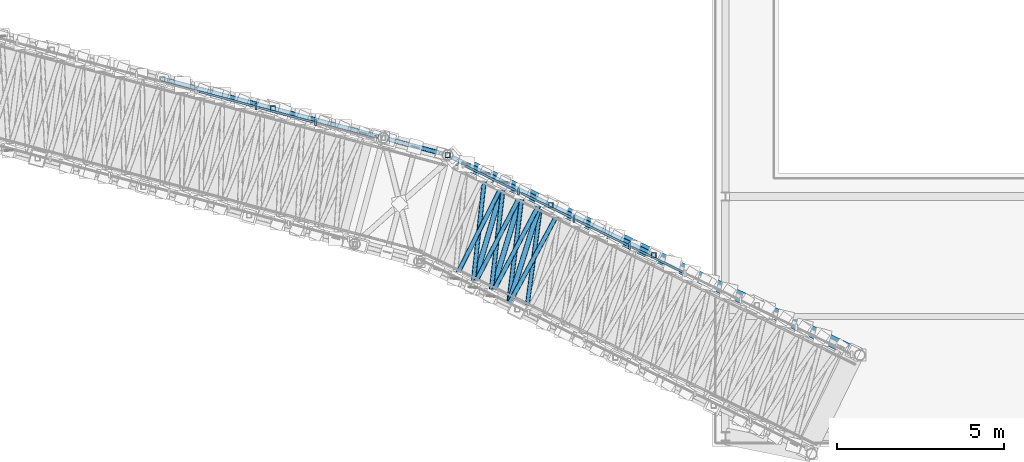
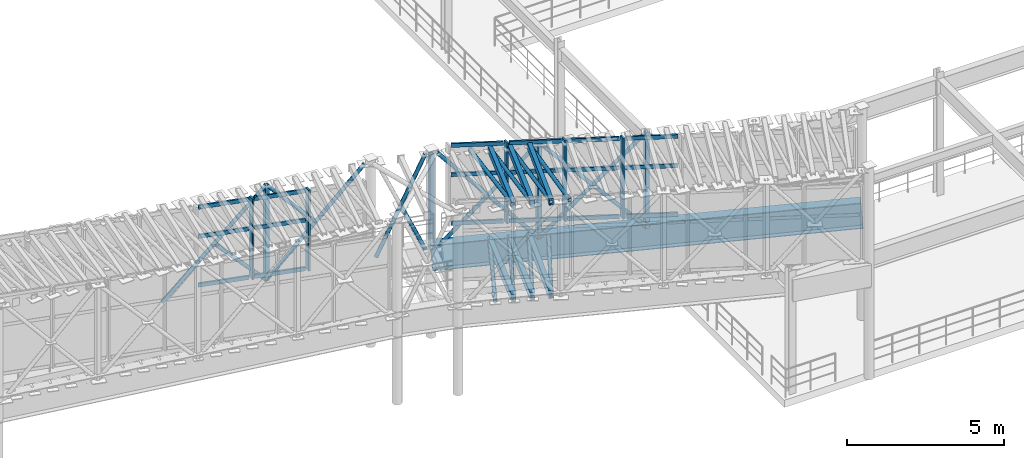
# One storey, part 65 of 144: 50 members, 4 beams, 2 elements without a shape of their own.
"""IFC4 building model written with IfcOpenShell, lengths in metres."""

from ifc_helpers import new_model, si_unit, direction, frame, origin, origin_2d, place, context, subcontext, project, spatial, rectangle, hollow_rectangle, hollow_circle, i_section, extrude, material, material_profile, profile_set, type_object, element, aggregate, save


model = new_model("IFC4")

# Units and contexts
model_context = context("Model", 3, precision=1e-05, world=origin(), true_north=direction((0.0, 1.0)))
body_context = subcontext(model_context, "Body", "Model", "MODEL_VIEW")
ifc_project = project(units=[si_unit("LENGTHUNIT", "METRE"), si_unit("AREAUNIT", "SQUARE_METRE"), si_unit("VOLUMEUNIT", "CUBIC_METRE"), si_unit("PLANEANGLEUNIT", "RADIAN"), si_unit("MASSUNIT", "GRAM", prefix="KILO")], contexts=[model_context])

# Site, building, storey
site_placement = place(None, origin())
site = spatial("IfcSite", under=ifc_project, at=site_placement, CompositionType="ELEMENT")
building_placement = place(site_placement, origin())
building = spatial("IfcBuilding", under=site, at=building_placement, Name="Cinderbank Siding Concert Hall", CompositionType="ELEMENT")
storey_placement = place(building_placement, frame((0.0, 0.0, 5.39990234375)))
storey = spatial("IfcBuildingStorey", under=building, at=storey_placement, Name="L02", CompositionType="ELEMENT", Elevation=5.39990234375)

# Beam
ifc_material_1 = material(Name="Structural steel welded plate section AS/NZS 3679.2 / AS/NZS 3678 Grade 350 (340 MPa)", Category="steel")
ifc_material_profile_1 = material_profile(ifc_material_1, i_section(OverallWidth=0.35009765625, OverallDepth=1.0, WebThickness=0.013916015625, FlangeThickness=0.02490234375, at=origin_2d()), Name="1000WB258", Category="LoadBearing")
ifc_profile_set_1 = profile_set([ifc_material_profile_1], Name="Structural steel welded plate section AS/NZS 3679.2 / AS/NZS 3678 Grade 350 (340 MPa)")
beam_type_1 = type_object("IfcBeamType", Name="BM-WB1000 1000WB258", PredefinedType="BEAM", material=ifc_profile_set_1)
beam_1_placement = place(storey_placement, frame((110.06005859375, 97.0439453125, 3.1201171875), z_axis=(0.897560803151, -0.435359130196, 0.069620632013), x_axis=(0.436418081237, 0.899743996017, 0.0)))
element("IfcBeam", 1, at=beam_1_placement, inside=storey, type_object=beam_type_1, Name="L02 Beam BM-WB1000 #2013", PredefinedType="BEAM", context=body_context, shape_type="SweptSolid", body=[
    extrude(i_section(OverallWidth=0.35009765625, OverallDepth=1.0, WebThickness=0.013916015625, FlangeThickness=0.02490234375, at=origin_2d()), origin(), (0.0, 0.0, 1.0), 13.78857421875),
])

# Members
ifc_material_2 = material(Name="Structural steel hollow section AS/NZS 1163 Grade C350L0 (350 MPa)", Category="steel")
ifc_material_profile_2 = material_profile(ifc_material_2, hollow_circle(Radius=0.06982421875, WallThickness=0.00634765625, at=origin_2d()), Name="139.7x6.4CHS", Category="LoadBearing")
ifc_profile_set_2 = profile_set([ifc_material_profile_2], Name="Structural steel hollow section AS/NZS 1163 Grade C350L0 (350 MPa)")
member_type_1 = type_object("IfcMemberType", Name="BR-CHS139 139.7x6.4CHS Roof Truss", PredefinedType="BRACE", material=ifc_profile_set_2)
member_1_placement = place(storey_placement, frame((101.49560546875, 99.325439453125, 2.91015625), z_axis=(0.634701122868, -0.168826853929, 0.754090165711), x_axis=(0.257055927083, 0.966396528528, 0.0)))
element("IfcMember", 2, at=member_1_placement, inside=storey, type_object=member_type_1, Name="L02 Diagonal Brace BR-CHS139 #BRDL-BR-CHS139-L02-0346", PredefinedType="BRACE", context=body_context, shape_type="SweptSolid", body=[
    extrude(hollow_circle(Radius=0.06982421875, WallThickness=0.00634765625, at=origin_2d()), origin(), (0.0, 0.0, 1.0), 5.224853515625),
])
member_2_placement = place(storey_placement, frame((103.163818359375, 98.881591796875, 4.869384765625), z_axis=(0.680554593358, -0.180977110382, -0.709994880952), x_axis=(0.256994253562, 0.966412931223, 0.0)))
element("IfcMember", 3, at=member_2_placement, inside=storey, type_object=member_type_1, Name="L02 Diagonal Brace BR-CHS139 #BRDL-BR-CHS139-L02-0347-S39", PredefinedType="BRACE", context=body_context, shape_type="SweptSolid", body=[
    extrude(hollow_circle(Radius=0.06982421875, WallThickness=0.00634765625, at=origin_2d()), origin(), (0.0, 0.0, 1.0), 2.42138671875),
])
member_3_placement = place(storey_placement, frame((104.811767578125, 98.443359375, 3.150146484375), z_axis=(0.615209960103, -0.163691590974, 0.771182058943), x_axis=(0.257128212589, 0.966377298104, 0.0)))
element("IfcMember", 4, at=member_3_placement, inside=storey, type_object=member_type_1, Name="L02 Diagonal Brace BR-CHS139 #BRDL-BR-CHS139-L02-0349", PredefinedType="BRACE", context=body_context, shape_type="SweptSolid", body=[
    extrude(hollow_circle(Radius=0.06982421875, WallThickness=0.00634765625, at=origin_2d()), origin(), (0.0, 0.0, 1.0), 5.091796875),
])
member_4_placement = place(storey_placement, frame((104.811767578125, 98.443359375, 6.85009765625), z_axis=(0.659379670982, -0.175420850507, -0.731058119921), x_axis=(0.257096502905, 0.966385734681, 0.0)))
element("IfcMember", 5, at=member_4_placement, inside=storey, type_object=member_type_1, Name="L02 Diagonal Brace BR-CHS139 #BRDL-BR-CHS139-L02-0350", PredefinedType="BRACE", context=body_context, shape_type="SweptSolid", body=[
    extrude(hollow_circle(Radius=0.06982421875, WallThickness=0.00634765625, at=origin_2d()), origin(), (0.0, 0.0, 1.0), 2.3603515625),
])
member_5_placement = place(storey_placement, frame((108.3115234375, 97.511962890625, 3.39013671875), z_axis=(0.387449630444, -0.103722865186, 0.916037308796), x_axis=(0.2586004934, 0.965984360543, 0.0)))
element("IfcMember", 6, at=member_5_placement, inside=storey, type_object=member_type_1, Name="L02 Diagonal Brace BR-CHS139 #BRDL-BR-CHS139-L02-0429", PredefinedType="BRACE", context=body_context, shape_type="SweptSolid", body=[
    extrude(hollow_circle(Radius=0.06982421875, WallThickness=0.00634765625, at=origin_2d()), origin(), (0.0, 0.0, 1.0), 4.0390625),
])
member_6_placement = place(storey_placement, frame((109.099853515625, 97.30078125, 5.226318359375), z_axis=(0.387441957269, -0.10365077197, -0.916048714435), x_axis=(0.258437536284, 0.966027970527, 0.0)))
element("IfcMember", 7, at=member_6_placement, inside=storey, type_object=member_type_1, Name="L02 Diagonal Brace BR-CHS139 #BRDL-BR-CHS139-L02-0430-S45", PredefinedType="BRACE", context=body_context, shape_type="SweptSolid", body=[
    extrude(hollow_circle(Radius=0.06982421875, WallThickness=0.00634765625, at=origin_2d()), origin(), (0.0, 0.0, 1.0), 2.00439453125),
])
member_7_placement = place(storey_placement, frame((110.23095703125, 96.961181640625, 3.4033203125), z_axis=(0.573546999151, -0.278222748774, 0.770477736102), x_axis=(0.436450497267, 0.899728272, 0.0)))
element("IfcMember", 8, at=member_7_placement, inside=storey, type_object=member_type_1, Name="L02 Diagonal Brace BR-CHS139 #BRDL-BR-CHS139-L02-0440", PredefinedType="BRACE", context=body_context, shape_type="SweptSolid", body=[
    extrude(hollow_circle(Radius=0.06982421875, WallThickness=0.00634765625, at=origin_2d()), origin(), (0.0, 0.0, 1.0), 5.096435546875),
])
for number, where, z_axis, x_axis, name in (
    (9, (110.23095703125, 96.961181640625, 7.103515625), (0.614605609454, -0.298159655217, -0.73031552416), (0.436473872458, 0.899716932519, 0.0), "L02 Diagonal Brace BR-CHS139 #BRDL-BR-CHS139-L02-0441"),
    (10, (111.70166015625, 96.247802734375, 5.355712890625), (0.614651983825, -0.298182152516, -0.730267309073), (0.436473872458, 0.899716932519, 0.0), "L02 Diagonal Brace BR-CHS139 #BRDL-BR-CHS139-L02-0441-S49"),
):
    element("IfcMember", number, at=place(storey_placement, frame(where, z_axis=z_axis, x_axis=x_axis)), inside=storey, type_object=member_type_1, Name=name, PredefinedType="BRACE", context=body_context, shape_type="SweptSolid", body=[
        extrude(hollow_circle(Radius=0.06982421875, WallThickness=0.00634765625, at=origin_2d()), origin(), (0.0, 0.0, 1.0), 2.363037109375),
    ])
member_8_placement = place(storey_placement, frame((113.154052734375, 95.543212890625, 3.630126953125), z_axis=(0.591637403995, -0.286971918437, 0.753400491255), x_axis=(0.436418081237, 0.899743996017, 0.0)))
element("IfcMember", 11, at=member_8_placement, inside=storey, type_object=member_type_1, Name="L02 Diagonal Brace BR-CHS139 #BRDL-BR-CHS139-L02-0443", PredefinedType="BRACE", context=body_context, shape_type="SweptSolid", body=[
    extrude(hollow_circle(Radius=0.06982421875, WallThickness=0.00634765625, at=origin_2d()), origin(), (0.0, 0.0, 1.0), 5.2294921875),
])
member_9_placement = place(storey_placement, frame((113.154052734375, 95.543212890625, 7.330078125), z_axis=(0.63420948883, -0.307587069857, -0.709343723969), x_axis=(0.436378677299, 0.899763107712, 0.0)))
element("IfcMember", 12, at=member_9_placement, inside=storey, type_object=member_type_1, Name="L02 Diagonal Brace BR-CHS139 #BRDL-BR-CHS139-L02-0444", PredefinedType="BRACE", context=body_context, shape_type="SweptSolid", body=[
    extrude(hollow_circle(Radius=0.06982421875, WallThickness=0.00634765625, at=origin_2d()), origin(), (0.0, 0.0, 1.0), 2.424072265625),
])
member_10_placement = place(storey_placement, frame((114.71044921875, 94.788330078125, 5.589599609375), z_axis=(0.634250040162, -0.307658601571, -0.709276442182), x_axis=(0.436438239979, 0.899734217802, 0.0)))
element("IfcMember", 13, at=member_10_placement, inside=storey, type_object=member_type_1, Name="L02 Diagonal Brace BR-CHS139 #BRDL-BR-CHS139-L02-0444-S50", PredefinedType="BRACE", context=body_context, shape_type="SweptSolid", body=[
    extrude(hollow_circle(Radius=0.06982421875, WallThickness=0.00634765625, at=origin_2d()), origin(), (0.0, 0.0, 1.0), 2.42431640625),
])
member_11_placement = place(storey_placement, frame((110.277099609375, 93.33056640625, 3.50732421875), z_axis=(0.452848158433, 0.891486072478, 0.013458379605), x_axis=(-0.891566819984, 0.452889175741, 0.0)))
element("IfcMember", 14, at=member_11_placement, inside=storey, type_object=member_type_1, Name="L02 Diagonal Brace BR-CHS139 #BRST-BR-CHS139-L02-0468", PredefinedType="BRACE", context=body_context, shape_type="SweptSolid", body=[
    extrude(hollow_circle(Radius=0.06982421875, WallThickness=0.00634765625, at=origin_2d()), origin(), (0.0, 0.0, 1.0), 3.2470703125),
])
member_12_placement = place(storey_placement, frame((111.18505859375, 96.498291015625, 7.1474609375), z_axis=(-0.107883418415, -0.994083800371, 0.012592294084), x_axis=(0.994162623627, -0.107891972746, 0.0)))
element("IfcMember", 15, at=member_12_placement, inside=storey, type_object=member_type_1, Name="L02 Diagonal Brace BR-CHS139 #BRXR-BR-CHS139-L02-0469", PredefinedType="BRACE", context=body_context, shape_type="SweptSolid", body=[
    extrude(hollow_circle(Radius=0.06982421875, WallThickness=0.00634765625, at=origin_2d()), origin(), (0.0, 0.0, 1.0), 3.451171875),
])
member_13_placement = place(storey_placement, frame((110.812744140625, 93.067626953125, 3.551025390625), z_axis=(0.460701278068, 0.88745456499, 0.013368899168), x_axis=(-0.887533881875, 0.460742453573, 0.0)))
element("IfcMember", 16, at=member_13_placement, inside=storey, type_object=member_type_1, Name="L02 Diagonal Brace BR-CHS139 #BRST-BR-CHS139-L02-0471", PredefinedType="BRACE", context=body_context, shape_type="SweptSolid", body=[
    extrude(hollow_circle(Radius=0.06982421875, WallThickness=0.00634765625, at=origin_2d()), origin(), (0.0, 0.0, 1.0), 3.25048828125),
])
member_14_placement = place(storey_placement, frame((111.74755859375, 96.225341796875, 7.19091796875), z_axis=(-0.115906338839, -0.993179086935, 0.012689440154), x_axis=(0.993259058381, -0.115915671695, 0.0)))
element("IfcMember", 17, at=member_14_placement, inside=storey, type_object=member_type_1, Name="L02 Diagonal Brace BR-CHS139 #BRXR-BR-CHS139-L02-0472", PredefinedType="BRACE", context=body_context, shape_type="SweptSolid", body=[
    extrude(hollow_circle(Radius=0.06982421875, WallThickness=0.00634765625, at=origin_2d()), origin(), (0.0, 0.0, 1.0), 3.44384765625),
])
member_15_placement = place(storey_placement, frame((111.348388671875, 92.804931640625, 3.594482421875), z_axis=(0.46844175172, 0.883392316864, 0.01342906367), x_axis=(-0.883471983015, 0.468483996768, 0.0)))
element("IfcMember", 18, at=member_15_placement, inside=storey, type_object=member_type_1, Name="L02 Diagonal Brace BR-CHS139 #BRST-BR-CHS139-L02-0474", PredefinedType="BRACE", context=body_context, shape_type="SweptSolid", body=[
    extrude(hollow_circle(Radius=0.06982421875, WallThickness=0.00634765625, at=origin_2d()), origin(), (0.0, 0.0, 1.0), 3.254150390625),
])
member_16_placement = place(storey_placement, frame((112.310302734375, 95.952392578125, 7.234619140625), z_axis=(-0.124015967155, -0.992198765861, 0.012714122635), x_axis=(0.992278969511, -0.124025991894, 0.0)))
element("IfcMember", 19, at=member_16_placement, inside=storey, type_object=member_type_1, Name="L02 Diagonal Brace BR-CHS139 #BRXR-BR-CHS139-L02-0475", PredefinedType="BRACE", context=body_context, shape_type="SweptSolid", body=[
    extrude(hollow_circle(Radius=0.06982421875, WallThickness=0.00634765625, at=origin_2d()), origin(), (0.0, 0.0, 1.0), 3.437255859375),
])
member_17_placement = place(storey_placement, frame((111.884033203125, 92.5419921875, 3.63818359375), z_axis=(0.476129255352, 0.879273006343, 0.013413147105), x_axis=(-0.879352113126, 0.476172091938, 0.0)))
element("IfcMember", 20, at=member_17_placement, inside=storey, type_object=member_type_1, Name="L02 Diagonal Brace BR-CHS139 #BRST-BR-CHS139-L02-0477", PredefinedType="BRACE", context=body_context, shape_type="SweptSolid", body=[
    extrude(hollow_circle(Radius=0.06982421875, WallThickness=0.00634765625, at=origin_2d()), origin(), (0.0, 0.0, 1.0), 3.258056640625),
])
member_18_placement = place(storey_placement, frame((112.872802734375, 95.6796875, 7.2783203125), z_axis=(-0.132148455525, -0.991148997608, 0.012666895575), x_axis=(0.991228522227, -0.132159058427, 0.0)))
element("IfcMember", 21, at=member_18_placement, inside=storey, type_object=member_type_1, Name="L02 Diagonal Brace BR-CHS139 #BRXR-BR-CHS139-L02-0478", PredefinedType="BRACE", context=body_context, shape_type="SweptSolid", body=[
    extrude(hollow_circle(Radius=0.06982421875, WallThickness=0.00634765625, at=origin_2d()), origin(), (0.0, 0.0, 1.0), 3.4306640625),
])
ifc_material_profile_3 = material_profile(ifc_material_2, hollow_rectangle(XDim=0.14990234375, YDim=0.14990234375, WallThickness=0.008056640625, at=origin_2d()), Name="150x150x8.0SHS", Category="LoadBearing")
ifc_profile_set_3 = profile_set([ifc_material_profile_3], Name="Structural steel hollow section AS/NZS 1163 Grade C350L0 (350 MPa)")
member_type_2 = type_object("IfcMemberType", Name="BR-SHS150 150x150x8.0SHS Roof Truss", PredefinedType="BRACE", material=ifc_profile_set_3)
for number, where, z_axis, x_axis, name in (
    (22, (104.811767578125, 98.443359375, 3.150146484375), (0.0, 0.0, 1.0), (1.0, 0.0, 0.0), "L02 Diagonal Brace BR-SHS150 #BRVL-BR-SHS150-L02-0348"),
    (23, (110.06005859375, 97.0439453125, 3.39013671875), (0.0, 0.0, 1.0), (1.0, 0.0, 0.0), "L02 Diagonal Brace BR-SHS150 #BRVL-BR-SHS150-L02-0439"),
    (24, (113.154052734375, 95.543212890625, 3.630126953125), (0.0, 0.0, 1.0), (1.0, 0.0, 0.0), "L02 Diagonal Brace BR-SHS150 #BRVL-BR-SHS150-L02-0442"),
    (25, (116.248046875, 94.04248046875, 3.8701171875), (0.0, 0.0, 1.0), (1.0, 0.0, 0.0), "L02 Diagonal Brace BR-SHS150 #BRVL-BR-SHS150-L02-0445"),
):
    element("IfcMember", number, at=place(storey_placement, frame(where, z_axis=z_axis, x_axis=x_axis)), inside=storey, type_object=member_type_2, Name=name, PredefinedType="BRACE", context=body_context, shape_type="SweptSolid", body=[
        extrude(hollow_rectangle(XDim=0.14990234375, YDim=0.14990234375, WallThickness=0.008056640625, at=origin_2d()), origin(), (0.0, 0.0, 1.0), 3.699951171875),
    ])

# Curtain wall, members
ifc_material_3 = material(Name="Anodised aluminium alloy 6063-T6", Category="aluminium")
curtain_wall_type = type_object("IfcCurtainWallType", Name="CW-15 Unitised Acoustic Curtain Wall 12800x3200", PredefinedType="NOTDEFINED", material=ifc_material_3)
curtain_wall_1_placement = place(storey_placement, origin())
curtain_wall_1 = element("IfcCurtainWall", 26, at=curtain_wall_1_placement, inside=storey, type_object=curtain_wall_type, Name="L02 Curtain Wall CW-15 #159", PredefinedType="NOTDEFINED")
ifc_material_profile_4 = material_profile(ifc_material_3, rectangle(XDim=0.06494140625, YDim=0.199951171875, at=origin_2d()), Name="ALU-MULL-65x200", Category="LoadBearing")
ifc_profile_set_4 = profile_set([ifc_material_profile_4], Name="Anodised aluminium alloy 6063-T6")
member_type_3 = type_object("IfcMemberType", Name="CW-ML2 Mullion 65x200", PredefinedType="MULLION", material=ifc_profile_set_4)
member_19_placement = place(storey_placement, frame((104.3017578125, 98.493408203125, 3.360107421875), z_axis=(0.0, 0.0, 1.0), x_axis=(1.0, 0.0, 0.0)))
member_19 = element("IfcMember", 27, at=member_19_placement, type_object=member_type_3, Name="CW-L02-159 Mullion 5", PredefinedType="MULLION", context=body_context, shape_type="SweptSolid", body=[
    extrude(rectangle(XDim=0.06494140625, YDim=0.199951171875, at=origin_2d()), origin(), (0.0, 0.0, 1.0), 3.14990234375),
])
member_20_placement = place(storey_placement, frame((106.093505859375, 98.01318359375, 3.360107421875), z_axis=(0.0, 0.0, 1.0), x_axis=(1.0, 0.0, 0.0)))
member_20 = element("IfcMember", 28, at=member_20_placement, type_object=member_type_3, Name="CW-L02-159 Mullion 6", PredefinedType="MULLION", context=body_context, shape_type="SweptSolid", body=[
    extrude(rectangle(XDim=0.06494140625, YDim=0.199951171875, at=origin_2d()), origin(), (0.0, 0.0, 1.0), 3.14990234375),
])

curtain_wall_2_placement = place(storey_placement, origin())
curtain_wall_2 = element("IfcCurtainWall", 29, at=curtain_wall_2_placement, inside=storey, type_object=curtain_wall_type, Name="L02 Curtain Wall CW-15 #161", PredefinedType="NOTDEFINED")
member_21_placement = place(storey_placement, frame((112.18798828125, 95.939453125, 4.320068359375), z_axis=(0.0, 0.0, 1.0), x_axis=(1.0, 0.0, 0.0)))
member_21 = element("IfcMember", 30, at=member_21_placement, type_object=member_type_3, Name="CW-L02-161 Mullion 1", PredefinedType="MULLION", context=body_context, shape_type="SweptSolid", body=[
    extrude(rectangle(XDim=0.06494140625, YDim=0.199951171875, at=origin_2d()), origin(), (0.0, 0.0, 1.0), 3.150146484375),
])
member_22_placement = place(storey_placement, frame((113.85546875, 95.126220703125, 4.320068359375), z_axis=(0.0, 0.0, 1.0), x_axis=(1.0, 0.0, 0.0)))
member_22 = element("IfcMember", 31, at=member_22_placement, type_object=member_type_3, Name="CW-L02-161 Mullion 2", PredefinedType="MULLION", context=body_context, shape_type="SweptSolid", body=[
    extrude(rectangle(XDim=0.06494140625, YDim=0.199951171875, at=origin_2d()), origin(), (0.0, 0.0, 1.0), 3.150146484375),
])
member_23_placement = place(storey_placement, frame((115.52294921875, 94.31298828125, 4.320068359375), z_axis=(0.0, 0.0, 1.0), x_axis=(1.0, 0.0, 0.0)))
member_23 = element("IfcMember", 32, at=member_23_placement, type_object=member_type_3, Name="CW-L02-161 Mullion 3", PredefinedType="MULLION", context=body_context, shape_type="SweptSolid", body=[
    extrude(rectangle(XDim=0.06494140625, YDim=0.199951171875, at=origin_2d()), origin(), (0.0, 0.0, 1.0), 3.150146484375),
])

# Member
ifc_material_profile_5 = material_profile(ifc_material_3, rectangle(XDim=0.06494140625, YDim=0.14990234375, at=origin_2d()), Name="ALU-TRAN-65x150", Category="LoadBearing")
ifc_profile_set_5 = profile_set([ifc_material_profile_5], Name="Anodised aluminium alloy 6063-T6")
member_type_4 = type_object("IfcMemberType", Name="CW-TR2 Transom 65x150", PredefinedType="USERDEFINED", material=ifc_profile_set_5)
member_24_placement = place(storey_placement, frame((102.599365234375, 98.94970703125, 3.420166015625), z_axis=(0.965928471546, -0.258809172667, 0.0), x_axis=(0.258809172667, 0.965928471546, 0.0)))
member_24 = element("IfcMember", 33, at=member_24_placement, type_object=member_type_4, Name="CW-L02-159 Transom 4-0", ObjectType="TRANSOM", PredefinedType="USERDEFINED", context=body_context, shape_type="SweptSolid", body=[
    extrude(rectangle(XDim=0.06494140625, YDim=0.14990234375, at=origin_2d()), origin(), (0.0, 0.0, 1.0), 1.669677734375),
])

member_25_placement = place(storey_placement, frame((102.599365234375, 98.94970703125, 5.31298828125), z_axis=(0.965928471546, -0.258809172667, 0.0), x_axis=(0.258809172667, 0.965928471546, 0.0)))
member_25 = element("IfcMember", 34, at=member_25_placement, type_object=member_type_4, Name="CW-L02-159 Transom 4-1", ObjectType="TRANSOM", PredefinedType="USERDEFINED", context=body_context, shape_type="SweptSolid", body=[
    extrude(rectangle(XDim=0.06494140625, YDim=0.14990234375, at=origin_2d()), origin(), (0.0, 0.0, 1.0), 1.669677734375),
])

member_26_placement = place(storey_placement, frame((102.599365234375, 98.94970703125, 6.4501953125), z_axis=(0.965928471546, -0.258809172667, 0.0), x_axis=(0.258809172667, 0.965928471546, 0.0)))
member_26 = element("IfcMember", 35, at=member_26_placement, type_object=member_type_4, Name="CW-L02-159 Transom 4-2", ObjectType="TRANSOM", PredefinedType="USERDEFINED", context=body_context, shape_type="SweptSolid", body=[
    extrude(rectangle(XDim=0.06494140625, YDim=0.14990234375, at=origin_2d()), origin(), (0.0, 0.0, 1.0), 1.669677734375),
])

member_27_placement = place(storey_placement, frame((104.391357421875, 98.469482421875, 3.420166015625), z_axis=(0.965918675344, -0.258845731319, 0.0), x_axis=(0.258845731319, 0.965918675344, 0.0)))
member_27 = element("IfcMember", 36, at=member_27_placement, type_object=member_type_4, Name="CW-L02-159 Transom 5-0", ObjectType="TRANSOM", PredefinedType="USERDEFINED", context=body_context, shape_type="SweptSolid", body=[
    extrude(rectangle(XDim=0.06494140625, YDim=0.14990234375, at=origin_2d()), origin(), (0.0, 0.0, 1.0), 1.66943359375),
])

member_28_placement = place(storey_placement, frame((104.391357421875, 98.469482421875, 5.31298828125), z_axis=(0.965918675344, -0.258845731319, 0.0), x_axis=(0.258845731319, 0.965918675344, 0.0)))
member_28 = element("IfcMember", 37, at=member_28_placement, type_object=member_type_4, Name="CW-L02-159 Transom 5-1", ObjectType="TRANSOM", PredefinedType="USERDEFINED", context=body_context, shape_type="SweptSolid", body=[
    extrude(rectangle(XDim=0.06494140625, YDim=0.14990234375, at=origin_2d()), origin(), (0.0, 0.0, 1.0), 1.66943359375),
])

member_29_placement = place(storey_placement, frame((104.391357421875, 98.469482421875, 6.4501953125), z_axis=(0.965918675344, -0.258845731319, 0.0), x_axis=(0.258845731319, 0.965918675344, 0.0)))
member_29 = element("IfcMember", 38, at=member_29_placement, type_object=member_type_4, Name="CW-L02-159 Transom 5-2", ObjectType="TRANSOM", PredefinedType="USERDEFINED", context=body_context, shape_type="SweptSolid", body=[
    extrude(rectangle(XDim=0.06494140625, YDim=0.14990234375, at=origin_2d()), origin(), (0.0, 0.0, 1.0), 1.66943359375),
])

aggregate(curtain_wall_1, [member_19, member_20, member_24, member_25, member_26, member_27, member_28, member_29])

member_30_placement = place(storey_placement, frame((110.60400390625, 96.7119140625, 4.380126953125), z_axis=(0.898799359184, -0.438360253593, 0.0), x_axis=(0.438360253593, 0.898799359184, 0.0)))
member_30 = element("IfcMember", 39, at=member_30_placement, type_object=member_type_4, Name="CW-L02-161 Transom 0-0", ObjectType="TRANSOM", PredefinedType="USERDEFINED", context=body_context, shape_type="SweptSolid", body=[
    extrude(rectangle(XDim=0.06494140625, YDim=0.14990234375, at=origin_2d()), origin(), (0.0, 0.0, 1.0), 1.669677734375),
])

member_31_placement = place(storey_placement, frame((110.60400390625, 96.7119140625, 6.273193359375), z_axis=(0.898799359184, -0.438360253593, 0.0), x_axis=(0.438360253593, 0.898799359184, 0.0)))
member_31 = element("IfcMember", 40, at=member_31_placement, type_object=member_type_4, Name="CW-L02-161 Transom 0-1", ObjectType="TRANSOM", PredefinedType="USERDEFINED", context=body_context, shape_type="SweptSolid", body=[
    extrude(rectangle(XDim=0.06494140625, YDim=0.14990234375, at=origin_2d()), origin(), (0.0, 0.0, 1.0), 1.669677734375),
])

member_32_placement = place(storey_placement, frame((110.60400390625, 96.7119140625, 7.41015625), z_axis=(0.898799359184, -0.438360253593, 0.0), x_axis=(0.438360253593, 0.898799359184, 0.0)))
member_32 = element("IfcMember", 41, at=member_32_placement, type_object=member_type_4, Name="CW-L02-161 Transom 0-2", ObjectType="TRANSOM", PredefinedType="USERDEFINED", context=body_context, shape_type="SweptSolid", body=[
    extrude(rectangle(XDim=0.06494140625, YDim=0.14990234375, at=origin_2d()), origin(), (0.0, 0.0, 1.0), 1.669677734375),
])

member_33_placement = place(storey_placement, frame((112.271484375, 95.898681640625, 4.380126953125), z_axis=(0.898799359184, -0.438360253593, 0.0), x_axis=(0.438360253593, 0.898799359184, 0.0)))
member_33 = element("IfcMember", 42, at=member_33_placement, type_object=member_type_4, Name="CW-L02-161 Transom 1-0", ObjectType="TRANSOM", PredefinedType="USERDEFINED", context=body_context, shape_type="SweptSolid", body=[
    extrude(rectangle(XDim=0.06494140625, YDim=0.14990234375, at=origin_2d()), origin(), (0.0, 0.0, 1.0), 1.669677734375),
])

member_34_placement = place(storey_placement, frame((112.271484375, 95.898681640625, 6.273193359375), z_axis=(0.898799359184, -0.438360253593, 0.0), x_axis=(0.438360253593, 0.898799359184, 0.0)))
member_34 = element("IfcMember", 43, at=member_34_placement, type_object=member_type_4, Name="CW-L02-161 Transom 1-1", ObjectType="TRANSOM", PredefinedType="USERDEFINED", context=body_context, shape_type="SweptSolid", body=[
    extrude(rectangle(XDim=0.06494140625, YDim=0.14990234375, at=origin_2d()), origin(), (0.0, 0.0, 1.0), 1.669677734375),
])

member_35_placement = place(storey_placement, frame((112.271484375, 95.898681640625, 7.41015625), z_axis=(0.898799359184, -0.438360253593, 0.0), x_axis=(0.438360253593, 0.898799359184, 0.0)))
member_35 = element("IfcMember", 44, at=member_35_placement, type_object=member_type_4, Name="CW-L02-161 Transom 1-2", ObjectType="TRANSOM", PredefinedType="USERDEFINED", context=body_context, shape_type="SweptSolid", body=[
    extrude(rectangle(XDim=0.06494140625, YDim=0.14990234375, at=origin_2d()), origin(), (0.0, 0.0, 1.0), 1.669677734375),
])

member_36_placement = place(storey_placement, frame((113.93896484375, 95.08544921875, 4.380126953125), z_axis=(0.898799359184, -0.438360253593, 0.0), x_axis=(0.438360253593, 0.898799359184, 0.0)))
member_36 = element("IfcMember", 45, at=member_36_placement, type_object=member_type_4, Name="CW-L02-161 Transom 2-0", ObjectType="TRANSOM", PredefinedType="USERDEFINED", context=body_context, shape_type="SweptSolid", body=[
    extrude(rectangle(XDim=0.06494140625, YDim=0.14990234375, at=origin_2d()), origin(), (0.0, 0.0, 1.0), 1.669677734375),
])

member_37_placement = place(storey_placement, frame((113.93896484375, 95.08544921875, 6.273193359375), z_axis=(0.898799359184, -0.438360253593, 0.0), x_axis=(0.438360253593, 0.898799359184, 0.0)))
member_37 = element("IfcMember", 46, at=member_37_placement, type_object=member_type_4, Name="CW-L02-161 Transom 2-1", ObjectType="TRANSOM", PredefinedType="USERDEFINED", context=body_context, shape_type="SweptSolid", body=[
    extrude(rectangle(XDim=0.06494140625, YDim=0.14990234375, at=origin_2d()), origin(), (0.0, 0.0, 1.0), 1.669677734375),
])

member_38_placement = place(storey_placement, frame((113.93896484375, 95.08544921875, 7.41015625), z_axis=(0.898799359184, -0.438360253593, 0.0), x_axis=(0.438360253593, 0.898799359184, 0.0)))
member_38 = element("IfcMember", 47, at=member_38_placement, type_object=member_type_4, Name="CW-L02-161 Transom 2-2", ObjectType="TRANSOM", PredefinedType="USERDEFINED", context=body_context, shape_type="SweptSolid", body=[
    extrude(rectangle(XDim=0.06494140625, YDim=0.14990234375, at=origin_2d()), origin(), (0.0, 0.0, 1.0), 1.669677734375),
])

member_39_placement = place(storey_placement, frame((115.606201171875, 94.272216796875, 4.380126953125), z_axis=(0.898799359184, -0.438360253593, 0.0), x_axis=(0.438360253593, 0.898799359184, 0.0)))
member_39 = element("IfcMember", 48, at=member_39_placement, type_object=member_type_4, Name="CW-L02-161 Transom 3-0", ObjectType="TRANSOM", PredefinedType="USERDEFINED", context=body_context, shape_type="SweptSolid", body=[
    extrude(rectangle(XDim=0.06494140625, YDim=0.14990234375, at=origin_2d()), origin(), (0.0, 0.0, 1.0), 1.669677734375),
])

member_40_placement = place(storey_placement, frame((115.606201171875, 94.272216796875, 6.273193359375), z_axis=(0.898799359184, -0.438360253593, 0.0), x_axis=(0.438360253593, 0.898799359184, 0.0)))
member_40 = element("IfcMember", 49, at=member_40_placement, type_object=member_type_4, Name="CW-L02-161 Transom 3-1", ObjectType="TRANSOM", PredefinedType="USERDEFINED", context=body_context, shape_type="SweptSolid", body=[
    extrude(rectangle(XDim=0.06494140625, YDim=0.14990234375, at=origin_2d()), origin(), (0.0, 0.0, 1.0), 1.669677734375),
])

member_41_placement = place(storey_placement, frame((115.606201171875, 94.272216796875, 7.41015625), z_axis=(0.898799359184, -0.438360253593, 0.0), x_axis=(0.438360253593, 0.898799359184, 0.0)))
member_41 = element("IfcMember", 50, at=member_41_placement, type_object=member_type_4, Name="CW-L02-161 Transom 3-2", ObjectType="TRANSOM", PredefinedType="USERDEFINED", context=body_context, shape_type="SweptSolid", body=[
    extrude(rectangle(XDim=0.06494140625, YDim=0.14990234375, at=origin_2d()), origin(), (0.0, 0.0, 1.0), 1.669677734375),
])

aggregate(curtain_wall_2, [member_21, member_22, member_23, member_30, member_31, member_32, member_33, member_34, member_35, member_36, member_37, member_38, member_39, member_40, member_41])

# Beams
ifc_material_4 = material(Name="Structural steel AS/NZS 3679.1 Grade 350 (340 MPa)", Category="steel")
ifc_material_profile_6 = material_profile(ifc_material_4, i_section(OverallWidth=0.1650390625, OverallDepth=0.303955078125, WebThickness=0.006103515625, FlangeThickness=0.01025390625, at=origin_2d()), Name="310UB40.4", Category="LoadBearing")
ifc_profile_set_6 = profile_set([ifc_material_profile_6], Name="Structural steel AS/NZS 3679.1 Grade 350 (340 MPa)")
beam_type_2 = type_object("IfcBeamType", Name="JS-UB310 310UB40.4", PredefinedType="JOIST", material=ifc_profile_set_6)
beam_2_placement = place(storey_placement, frame((110.812744140625, 93.067626953125, 3.598876953125), z_axis=(0.283863672612, 0.958864649141, 0.0), x_axis=(-0.958864649141, 0.283863672612, 0.0)))
element("IfcBeam", 51, at=beam_2_placement, inside=storey, type_object=beam_type_2, Name="L02 Beam JS-UB310 #2017", PredefinedType="JOIST", context=body_context, shape_type="SweptSolid", body=[
    extrude(i_section(OverallWidth=0.1650390625, OverallDepth=0.303955078125, WebThickness=0.006103515625, FlangeThickness=0.01025390625, at=origin_2d()), origin(), (0.0, 0.0, 1.0), 3.293212890625),
])
beam_3_placement = place(storey_placement, frame((111.348388671875, 92.804931640625, 3.642578125), z_axis=(0.29227130437, 0.956335445669, 0.0), x_axis=(-0.956335445669, 0.29227130437, 0.0)))
element("IfcBeam", 52, at=beam_3_placement, inside=storey, type_object=beam_type_2, Name="L02 Beam JS-UB310 #2018", PredefinedType="JOIST", context=body_context, shape_type="SweptSolid", body=[
    extrude(i_section(OverallWidth=0.1650390625, OverallDepth=0.303955078125, WebThickness=0.006103515625, FlangeThickness=0.01025390625, at=origin_2d()), origin(), (0.0, 0.0, 1.0), 3.291259765625),
])
beam_4_placement = place(storey_placement, frame((111.884033203125, 92.5419921875, 3.686279296875), z_axis=(0.300555941545, 0.953764187838, 0.0), x_axis=(-0.953764187838, 0.300555941545, 0.0)))
element("IfcBeam", 53, at=beam_4_placement, inside=storey, type_object=beam_type_2, Name="L02 Beam JS-UB310 #2019", PredefinedType="JOIST", context=body_context, shape_type="SweptSolid", body=[
    extrude(i_section(OverallWidth=0.1650390625, OverallDepth=0.303955078125, WebThickness=0.006103515625, FlangeThickness=0.01025390625, at=origin_2d()), origin(), (0.0, 0.0, 1.0), 3.289794921875),
])

# Members
ifc_material_profile_7 = material_profile(ifc_material_2, hollow_rectangle(XDim=0.14990234375, YDim=0.25, WallThickness=0.009033203125, at=origin_2d()), Name="250x150x9.0RHS", Category="LoadBearing")
ifc_profile_set_7 = profile_set([ifc_material_profile_7], Name="Structural steel hollow section AS/NZS 1163 Grade C350L0 (350 MPa)")
member_type_5 = type_object("IfcMemberType", Name="PR-RHS250 250x150x9.0RHS Roof Truss", PredefinedType="PURLIN", material=ifc_profile_set_7)
member_42_placement = place(storey_placement, frame((110.812744140625, 93.067626953125, 7.19091796875), z_axis=(0.283863672612, 0.958864649141, 0.0), x_axis=(-0.958864649141, 0.283863672612, 0.0)))
element("IfcMember", 54, at=member_42_placement, inside=storey, type_object=member_type_5, Name="L02 Roof Truss Member PR-RHS250 #467", PredefinedType="PURLIN", context=body_context, shape_type="SweptSolid", body=[
    extrude(hollow_rectangle(XDim=0.14990234375, YDim=0.25, WallThickness=0.009033203125, at=origin_2d()), origin(), (0.0, 0.0, 1.0), 3.293212890625),
])
member_43_placement = place(storey_placement, frame((111.348388671875, 92.804931640625, 7.234619140625), z_axis=(0.29227130437, 0.956335445669, 0.0), x_axis=(-0.956335445669, 0.29227130437, 0.0)))
element("IfcMember", 55, at=member_43_placement, inside=storey, type_object=member_type_5, Name="L02 Roof Truss Member PR-RHS250 #470", PredefinedType="PURLIN", context=body_context, shape_type="SweptSolid", body=[
    extrude(hollow_rectangle(XDim=0.14990234375, YDim=0.25, WallThickness=0.009033203125, at=origin_2d()), origin(), (0.0, 0.0, 1.0), 3.291259765625),
])
member_44_placement = place(storey_placement, frame((111.884033203125, 92.5419921875, 7.2783203125), z_axis=(0.300555941545, 0.953764187838, 0.0), x_axis=(-0.953764187838, 0.300555941545, 0.0)))
element("IfcMember", 56, at=member_44_placement, inside=storey, type_object=member_type_5, Name="L02 Roof Truss Member PR-RHS250 #473", PredefinedType="PURLIN", context=body_context, shape_type="SweptSolid", body=[
    extrude(hollow_rectangle(XDim=0.14990234375, YDim=0.25, WallThickness=0.009033203125, at=origin_2d()), origin(), (0.0, 0.0, 1.0), 3.289794921875),
])

save(model, "model.ifc")
